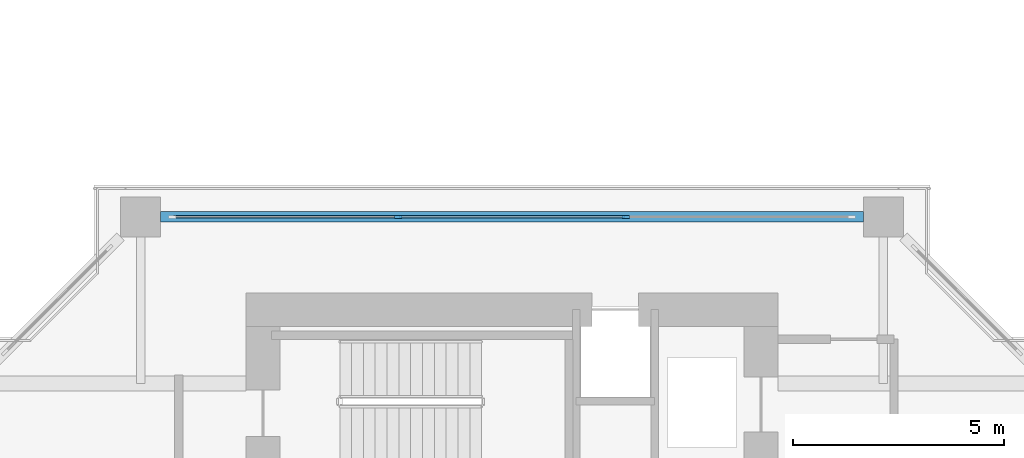
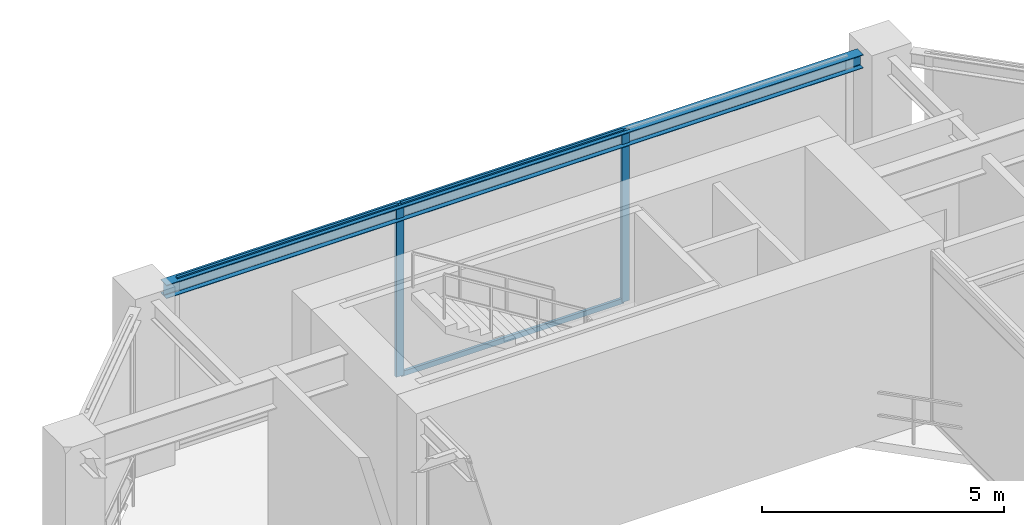
# One storey, part 8 of 26: 5 members, 1 beam, 1 element without a shape of its own.
"""IFC4 building model written with IfcOpenShell, lengths in metres."""

from ifc_helpers import new_model, si_unit, direction, frame, origin, origin_2d, place, context, subcontext, project, spatial, rectangle, i_section, extrude, source, transform, mapped, material, layer, layer_set, material_profile, profile_set, type_object, element, aggregate, save


model = new_model("IFC4")

# Units and contexts
model_context = context("Model", 3, precision=1e-05, world=origin(), true_north=direction((0.0, 1.0)))
body_context = subcontext(model_context, "Body", "Model", "MODEL_VIEW")
ifc_project = project(units=[si_unit("LENGTHUNIT", "METRE"), si_unit("AREAUNIT", "SQUARE_METRE"), si_unit("VOLUMEUNIT", "CUBIC_METRE"), si_unit("PLANEANGLEUNIT", "RADIAN"), si_unit("MASSUNIT", "GRAM", prefix="KILO"), si_unit("THERMODYNAMICTEMPERATUREUNIT", "KELVIN"), si_unit("POWERUNIT", "WATT")], contexts=[model_context])

# Site, building, storey
site_placement = place(None, origin())
site = spatial("IfcSite", under=ifc_project, at=site_placement, CompositionType="ELEMENT")
building_placement = place(site_placement, origin())
building = spatial("IfcBuilding", under=site, at=building_placement, Name="Qiaomeng Ring Towers", CompositionType="ELEMENT")
storey_placement = place(building_placement, frame((0.0, 0.0, 45.75)))
storey = spatial("IfcBuildingStorey", under=building, at=storey_placement, Name="L12", CompositionType="ELEMENT", Elevation=45.75)

# Beam
ifc_material_1 = material(Name="Steel Q355B", Category="steel")
ifc_material_profile_1 = material_profile(ifc_material_1, i_section(OverallWidth=0.25, OverallDepth=0.340087890625, WebThickness=0.009033203125, FlangeThickness=0.013916015625, FilletRadius=0.02001953125, at=origin_2d()), Name="HM 340x250x9x14")
ifc_profile_set_1 = profile_set([ifc_material_profile_1], Name="Steel Q355B")
beam_type = type_object("IfcBeamType", Name="STR-BM-HM340", PredefinedType="SPANDREL", material=ifc_profile_set_1)
shared_shape_1 = source(origin(), body_context, "Body", "SweptSolid", [
    extrude(i_section(OverallWidth=0.25, OverallDepth=0.340087890625, WebThickness=0.009033203125, FlangeThickness=0.013916015625, FilletRadius=0.02001953125, at=origin_2d()), origin(), (0.0, 0.0, 1.0), 16.65185546875),
])
beam_placement = place(storey_placement, frame((68.825927734375, 35.75, 4.14990234375), z_axis=(-1.0, 0.0, 0.0), x_axis=(0.0, -1.0, 0.0)))
element("IfcBeam", 1, at=beam_placement, inside=storey, type_object=beam_type, Name="L12 beam STR-SP-L12-T2-N2-N1", PredefinedType="SPANDREL", context=body_context, shape_type="MappedRepresentation", body=[
    mapped(shared_shape_1, transform((0.0, 0.0, 0.0), x_axis=(1.0, 0.0, 0.0), y_axis=(0.0, 1.0, 0.0), z_axis=(0.0, 0.0, 1.0), scale=1.0)),
])

# Curtain wall, members
ifc_material_2 = material(Name="Fluorocarbon dark-grey aluminium", Category="aluminium")
ifc_layer = layer(ifc_material_2, 0.14990234375, Name="Fluorocarbon dark-grey aluminium")
ifc_layer_set = layer_set([ifc_layer], Name="Fluorocarbon dark-grey aluminium")
curtain_wall_type = type_object("IfcCurtainWallType", Name="ARC-CW-5", PredefinedType="NOTDEFINED", material=ifc_layer_set)
curtain_wall_placement = place(storey_placement, origin())
curtain_wall = element("IfcCurtainWall", 2, at=curtain_wall_placement, inside=storey, type_object=curtain_wall_type, Name="L12 Curtain Wall CW5", PredefinedType="NOTDEFINED")
ifc_material_profile_2 = material_profile(ifc_material_2, rectangle(XDim=0.06494140625, YDim=0.1298828125, at=origin_2d()), Name="ALU TRAN 65x130")
ifc_profile_set_2 = profile_set([ifc_material_profile_2], Name="Fluorocarbon dark-grey aluminium")
member_type_1 = type_object("IfcMemberType", Name="ARC-CWT-120", PredefinedType="USERDEFINED", material=ifc_profile_set_2)
shared_shape_2 = source(origin(), body_context, "Body", "SweptSolid", [
    extrude(rectangle(XDim=0.06494140625, YDim=0.1298828125, at=origin_2d()), origin(), (0.0, 0.0, 1.0), 5.284912109375),
])
member_1_placement = place(storey_placement, frame((52.485107421875, 35.75, 4.28759765625), z_axis=(1.0, 0.0, 0.0), x_axis=(0.0, 1.0, 0.0)))
member_1 = element("IfcMember", 3, at=member_1_placement, type_object=member_type_1, Name="CW5 transom 1.2", ObjectType="TRANSOM", PredefinedType="USERDEFINED", context=body_context, shape_type="MappedRepresentation", body=[
    mapped(shared_shape_2, transform((0.0, 0.0, 0.0), x_axis=(1.0, 0.0, 0.0), y_axis=(0.0, 1.0, 0.0), z_axis=(0.0, 0.0, 1.0), scale=1.0)),
])
shared_shape_3 = source(origin(), body_context, "Body", "SweptSolid", [
    extrude(rectangle(XDim=0.06494140625, YDim=0.1298828125, at=origin_2d()), origin(), (0.0, 0.0, 1.0), 5.31982421875),
])
member_2_placement = place(storey_placement, frame((57.840087890625, 35.75, 0.032470703125), z_axis=(1.0, 0.0, 0.0), x_axis=(0.0, 1.0, 0.0)))
member_2 = element("IfcMember", 4, at=member_2_placement, type_object=member_type_1, Name="CW5 transom 2.1", ObjectType="TRANSOM", PredefinedType="USERDEFINED", context=body_context, shape_type="MappedRepresentation", body=[
    mapped(shared_shape_3, transform((0.0, 0.0, 0.0), x_axis=(1.0, 0.0, 0.0), y_axis=(0.0, 1.0, 0.0), z_axis=(0.0, 0.0, 1.0), scale=1.0)),
])
member_3_placement = place(storey_placement, frame((57.840087890625, 35.75, 4.28759765625), z_axis=(1.0, 0.0, 0.0), x_axis=(0.0, 1.0, 0.0)))
member_3 = element("IfcMember", 5, at=member_3_placement, type_object=member_type_1, Name="CW5 transom 2.2", ObjectType="TRANSOM", PredefinedType="USERDEFINED", context=body_context, shape_type="MappedRepresentation", body=[
    mapped(shared_shape_3, transform((0.0, 0.0, 0.0), x_axis=(1.0, 0.0, 0.0), y_axis=(0.0, 1.0, 0.0), z_axis=(0.0, 0.0, 1.0), scale=1.0)),
])
ifc_material_profile_3 = material_profile(ifc_material_2, rectangle(XDim=0.070068359375, YDim=0.179931640625, at=origin_2d()), Name="ALU MULL 70x180")
ifc_profile_set_3 = profile_set([ifc_material_profile_3], Name="Fluorocarbon dark-grey aluminium")
member_type_2 = type_object("IfcMemberType", Name="ARC-CWM-160", PredefinedType="MULLION", material=ifc_profile_set_3)
shared_shape_4 = source(origin(), body_context, "Body", "SweptSolid", [
    extrude(rectangle(XDim=0.070068359375, YDim=0.179931640625, at=origin_2d()), origin(), (0.0, 0.0, 1.0), 4.320068359375),
])
member_4_placement = place(storey_placement, frame((57.804931640625, 35.75, 0.0), z_axis=(0.0, 0.0, 1.0), x_axis=(0.0, 1.0, 0.0)))
member_4 = element("IfcMember", 6, at=member_4_placement, type_object=member_type_2, Name="CW5 mullion 2", PredefinedType="MULLION", context=body_context, shape_type="MappedRepresentation", body=[
    mapped(shared_shape_4, transform((0.0, 0.0, 0.0), x_axis=(1.0, 0.0, 0.0), y_axis=(0.0, 1.0, 0.0), z_axis=(0.0, 0.0, 1.0), scale=1.0)),
])
member_5_placement = place(storey_placement, frame((63.195068359375, 35.75, 0.0), z_axis=(0.0, 0.0, 1.0), x_axis=(0.0, 1.0, 0.0)))
member_5 = element("IfcMember", 7, at=member_5_placement, type_object=member_type_2, Name="CW5 mullion 3", PredefinedType="MULLION", context=body_context, shape_type="MappedRepresentation", body=[
    mapped(shared_shape_4, transform((0.0, 0.0, 0.0), x_axis=(1.0, 0.0, 0.0), y_axis=(0.0, 1.0, 0.0), z_axis=(0.0, 0.0, 1.0), scale=1.0)),
])
aggregate(curtain_wall, [member_4, member_5, member_1, member_2, member_3])

save(model, "model.ifc")
